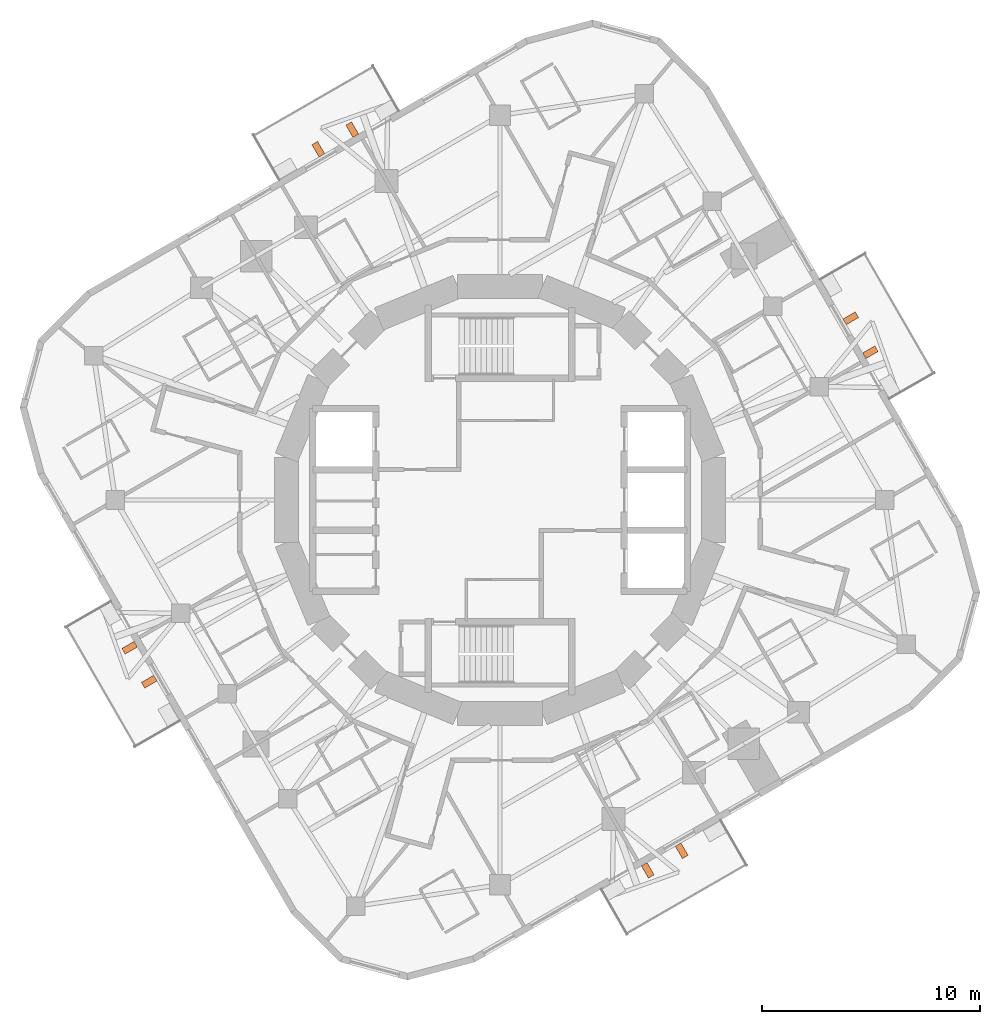
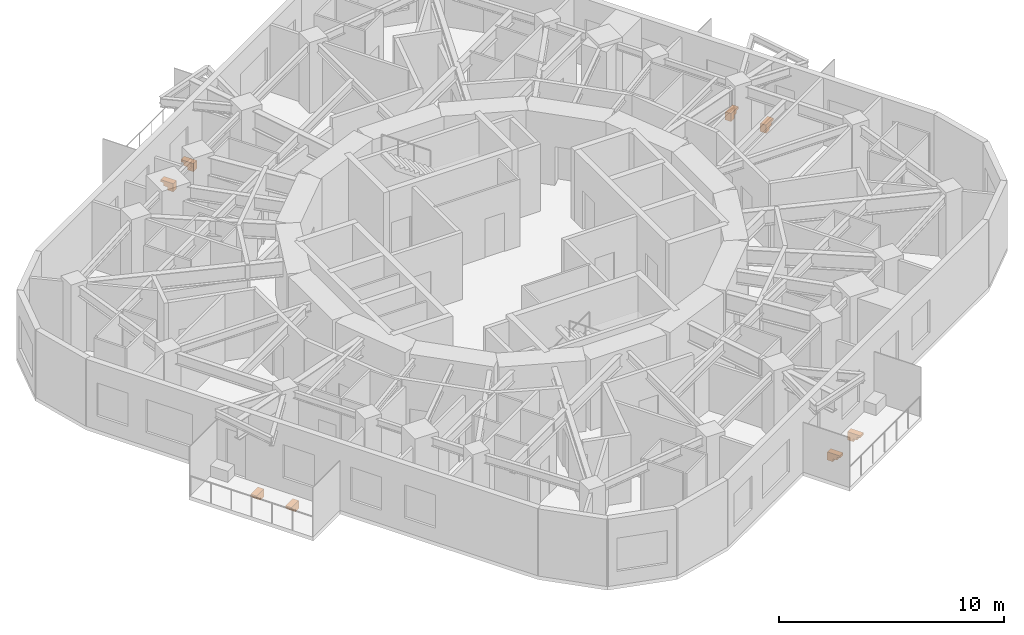
# One storey, part 11 of 11: 8 proxies.
"""IFC4 building model written with IfcOpenShell, lengths in metres."""

from ifc_helpers import new_model, si_unit, direction, frame, origin, place, context, subcontext, project, spatial, polyline, outline, extrude, material, type_object, element, save


model = new_model("IFC4")

# Units and contexts
model_context = context("Model", 3, precision=1e-05, world=origin(), true_north=direction((0.0, 1.0)))
body_context = subcontext(model_context, "Body", "Model", "MODEL_VIEW")
ifc_project = project(units=[si_unit("LENGTHUNIT", "METRE"), si_unit("AREAUNIT", "SQUARE_METRE"), si_unit("VOLUMEUNIT", "CUBIC_METRE"), si_unit("PLANEANGLEUNIT", "RADIAN"), si_unit("MASSUNIT", "GRAM", prefix="KILO")], contexts=[model_context])

# Site, building, storey
site_placement = place(None, origin())
site = spatial("IfcSite", under=ifc_project, at=site_placement, CompositionType="ELEMENT")
building_placement = place(site_placement, origin())
building = spatial("IfcBuilding", under=site, at=building_placement, Name="Nakasero Lantern House", CompositionType="ELEMENT")
storey_placement = place(building_placement, frame((0.0, 0.0, 242.35009765625)))
storey = spatial("IfcBuildingStorey", under=building, at=storey_placement, Name="L59", CompositionType="ELEMENT", Elevation=242.35009765625)

# Proxies
ifc_material = material(Name="Concrete C40/50 precast", Category="concrete")
building_element_proxy_type = type_object("IfcBuildingElementProxyType", Name="Balcony bracket 300", PredefinedType="USERDEFINED", material=ifc_material)
for number, where, z_axis, x_axis, name in (
    (1, (16.7294921875, 6.62353515625, -0.2001953125), (0.0, 0.0, 1.0), (0.866025404, 0.5, 0.0), "Balcony bracket L59 0A"),
    (2, (15.82958984375, 8.182373046875, -0.2001953125), (0.0, 0.0, 1.0), (0.866025404, 0.5, 0.0), "Balcony bracket L59 0B"),
    (3, (-6.62353515625, 16.7294921875, -0.2001953125), (0.0, 0.0, 1.0), (-0.5, 0.866025404, 0.0), "Balcony bracket L59 1A"),
    (4, (-8.182373046875, 15.82958984375, -0.2001953125), (0.0, 0.0, 1.0), (-0.5, 0.866025404, 0.0), "Balcony bracket L59 1B"),
    (5, (-16.7294921875, -6.62353515625, -0.2001953125), (0.0, 0.0, 1.0), (-0.866025404, -0.5, 0.0), "Balcony bracket L59 2A"),
    (6, (-15.82958984375, -8.182373046875, -0.2001953125), (0.0, 0.0, 1.0), (-0.866025404, -0.5, 0.0), "Balcony bracket L59 2B"),
    (7, (6.62353515625, -16.7294921875, -0.2001953125), (0.0, 0.0, 1.0), (0.5, -0.866025404, 0.0), "Balcony bracket L59 3A"),
    (8, (8.182373046875, -15.82958984375, -0.2001953125), (0.0, 0.0, 1.0), (0.5, -0.866025404, 0.0), "Balcony bracket L59 3B"),
):
    element("IfcBuildingElementProxy", number, at=place(storey_placement, frame(where, z_axis=z_axis, x_axis=x_axis)), inside=storey, type_object=building_element_proxy_type, Name=name, ObjectType="BALCONY BRACKET", PredefinedType="USERDEFINED", context=body_context, shape_type="SweptSolid", body=[
        extrude(outline(polyline([(0.0, 0.0), (0.64990234375, 0.0), (0.64990234375, -0.1201171875), (0.5, -0.1201171875), (0.5, -0.280029296875), (0.300048828125, -0.280029296875), (0.300048828125, -0.43994140625), (0.0, -0.43994140625), (0.0, 0.0)])), frame((0.0, 0.14990234375, 0.0), z_axis=(0.0, -1.0, 0.0), x_axis=(1.0, 0.0, 0.0)), (0.0, 0.0, 1.0), 0.300048828125),
    ])

save(model, "model.ifc")
